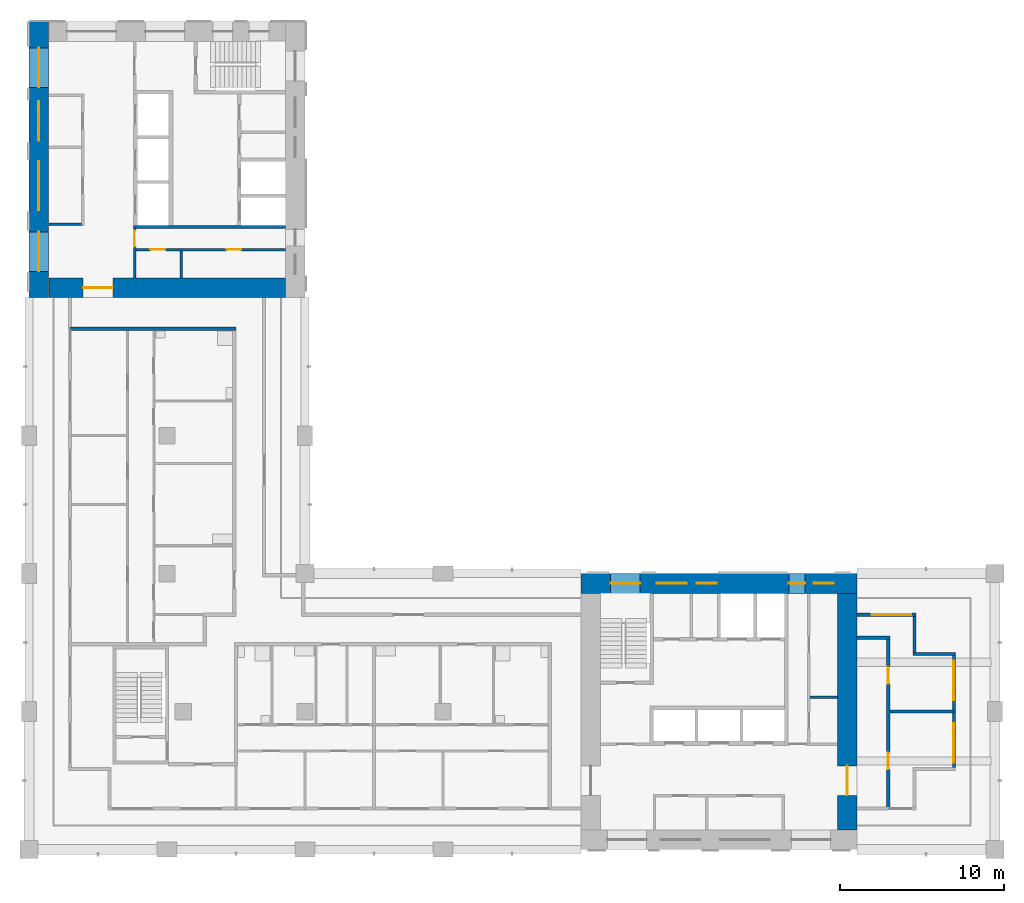
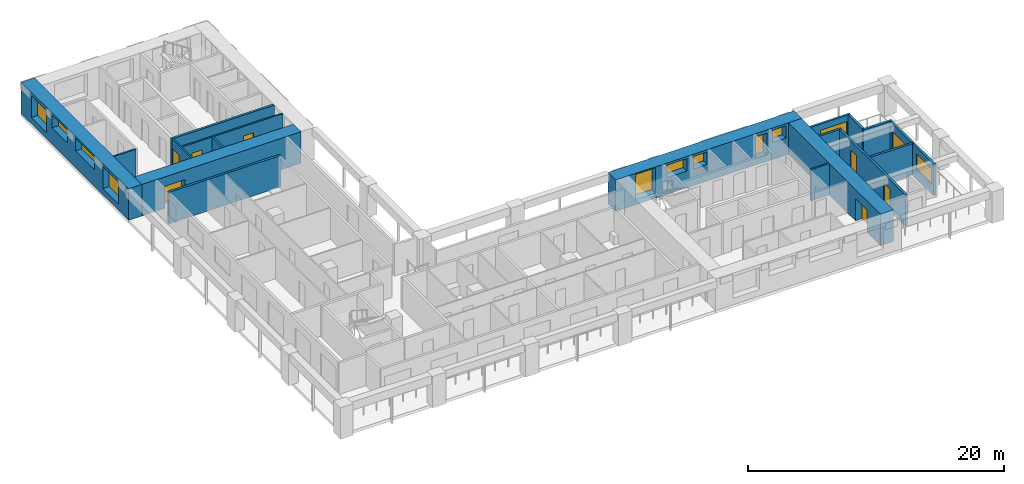
# One storey, part 5 of 11: 18 walls, 11 windows, 8 doors, 19 openings.
"""IFC4 building model written with IfcOpenShell, lengths in metres."""

from ifc_helpers import new_model, si_unit, direction, frame, frame_2d, origin, place, context, subcontext, project, spatial, rectangle, extrude, material, layer, layer_set, type_object, element, fill, save


model = new_model("IFC4")

# Units and contexts
model_context = context("Model", 3, precision=1e-05, world=origin(), true_north=direction((0.0, 1.0)))
body_context = subcontext(model_context, "Body", "Model", "MODEL_VIEW")
ifc_project = project(units=[si_unit("LENGTHUNIT", "METRE"), si_unit("AREAUNIT", "SQUARE_METRE"), si_unit("VOLUMEUNIT", "CUBIC_METRE"), si_unit("PLANEANGLEUNIT", "RADIAN"), si_unit("MASSUNIT", "GRAM", prefix="KILO")], contexts=[model_context])

# Site, building, storey
site_placement = place(None, origin())
site = spatial("IfcSite", under=ifc_project, at=site_placement, CompositionType="ELEMENT")
building_placement = place(site_placement, origin())
building = spatial("IfcBuilding", under=site, at=building_placement, Name="Vermilion Gate Residences", CompositionType="ELEMENT")
storey_placement = place(building_placement, frame((0.0, 0.0, 203.699951171875)))
storey = spatial("IfcBuildingStorey", under=building, at=storey_placement, Name="L53", CompositionType="ELEMENT", Elevation=203.699951171875)

# Walls
ifc_material_1 = material(Name="Masonry blockwork", Category="masonry")
ifc_layer_1 = layer(ifc_material_1, 0.14990234375)
ifc_layer_set_1 = layer_set([ifc_layer_1], Name="BLOCKWORK PARTITION 150 EI 120")
wall_type_1 = type_object("IfcWallType", Name="BLOCKWORK PARTITION 150 EI 120", PredefinedType="PARTITIONING", material=ifc_layer_set_1)
wall_1_placement = place(storey_placement, frame((55.949951171875, 17.659912109375, 0.0), z_axis=(0.0, 0.0, 1.0), x_axis=(1.0, 0.0, 0.0)))
element("IfcWall", 1, at=wall_1_placement, inside=storey, type_object=wall_type_1, Name="Core room partition A53-ES-P0", PredefinedType="PARTITIONING", context=body_context, shape_type="SweptSolid", body=[
    extrude(rectangle(XDim=1.650146484375, YDim=0.14990234375, at=frame_2d((0.8251953125, 0.0))), origin(), (0.0, 0.0, 1.0), 3.0),
])
wall_2_placement = place(storey_placement, frame((9.60009765625, 46.47509765625, 0.0), z_axis=(0.0, 0.0, 1.0), x_axis=(1.0, 0.0, 0.0)))
element("IfcWall", 2, at=wall_2_placement, inside=storey, type_object=wall_type_1, Name="Core room partition B53-RW-E", PredefinedType="PARTITIONING", context=body_context, shape_type="SweptSolid", body=[
    extrude(rectangle(XDim=2.0, YDim=0.14990234375, at=frame_2d((1.0, 0.0))), origin(), (0.0, 0.0, 1.0), 3.0),
])

# Wall, opening, door
wall_3_placement = place(storey_placement, frame((14.824951171875, 46.199951171875, 0.0), z_axis=(0.0, 0.0, 1.0), x_axis=(0.0, -1.0, 0.0)))
wall_3 = element("IfcWall", 3, at=wall_3_placement, inside=storey, type_object=wall_type_1, Name="Core room partition B53-ES-S", PredefinedType="PARTITIONING", context=body_context, shape_type="SweptSolid", body=[
    extrude(rectangle(XDim=3.0, YDim=0.14990234375, at=frame_2d((1.5, 0.0))), origin(), (0.0, 0.0, 1.0), 3.0),
])
opening_1_placement = place(wall_3_placement, frame((0.10009765625, 0.0, 0.0)))
opening_1 = element("IfcOpeningElement", 4, at=opening_1_placement, cuts=wall_3, Name="Opening DK53113", PredefinedType="OPENING", context=body_context, shape_type="SweptSolid", body=[
    extrude(rectangle(XDim=1.0, YDim=2.10009765625, at=frame_2d((0.5, 1.050048828125))), frame((0.0, 0.0849609375, 0.0), z_axis=(0.0, -1.0, 0.0), x_axis=(1.0, 0.0, 0.0)), (0.0, 0.0, 1.0), 0.169921875),
])
ifc_material_2 = material(Name="Steel", Category="steel")
door_type_1 = type_object("IfcDoorType", Name="FIRE DOOR FD60 1000 X 2100", OperationType="SINGLE_SWING_LEFT", PredefinedType="DOOR", material=ifc_material_2)
door_1_placement = place(opening_1_placement, frame((1.0, 0.0, 0.0), z_axis=(0.0, 0.0, 1.0), x_axis=(-1.0, 0.0, 0.0)))
door_1 = element("IfcDoor", 5, at=door_1_placement, inside=storey, type_object=door_type_1, Name="Service corridor door B53", OperationType="SINGLE_SWING_LEFT", OverallHeight=2.10009765625, OverallWidth=1.0, PredefinedType="DOOR", context=body_context, shape_type="SweptSolid", body=[
    extrude(rectangle(XDim=1.0, YDim=2.10009765625, at=frame_2d((0.5, 1.050048828125))), frame((0.0, 0.02490234375, 0.0), z_axis=(0.0, -1.0, 0.0), x_axis=(1.0, 0.0, 0.0)), (0.0, 0.0, 1.0), 0.050048828125),
])
fill(opening_1, door_1)

# Wall
wall_4_placement = place(storey_placement, frame((17.659912109375, 44.85009765625, 0.0), z_axis=(0.0, 0.0, 1.0), x_axis=(0.0, -1.0, 0.0)))
element("IfcWall", 6, at=wall_4_placement, inside=storey, type_object=wall_type_1, Name="Core room partition B53-ES-P0", PredefinedType="PARTITIONING", context=body_context, shape_type="SweptSolid", body=[
    extrude(rectangle(XDim=1.650146484375, YDim=0.14990234375, at=frame_2d((0.8251953125, 0.0))), origin(), (0.0, 0.0, 1.0), 3.0),
])

# Wall, openings, doors
wall_5_placement = place(storey_placement, frame((14.89990234375, 44.925048828125, 0.0), z_axis=(0.0, 0.0, 1.0), x_axis=(1.0, 0.0, 0.0)))
wall_5 = element("IfcWall", 7, at=wall_5_placement, inside=storey, type_object=wall_type_1, Name="Core room partition B53-ES-W", PredefinedType="PARTITIONING", context=body_context, shape_type="SweptSolid", body=[
    extrude(rectangle(XDim=9.10009765625, YDim=0.14990234375, at=frame_2d((4.550048828125, 0.0))), origin(), (0.0, 0.0, 1.0), 3.0),
])
opening_2_placement = place(wall_5_placement, frame((0.892578125, 0.0, 0.0)))
opening_2 = element("IfcOpeningElement", 8, at=opening_2_placement, cuts=wall_5, Name="Opening DK53114", PredefinedType="OPENING", context=body_context, shape_type="SweptSolid", body=[
    extrude(rectangle(XDim=0.89990234375, YDim=2.10009765625, at=frame_2d((0.449951171875, 1.050048828125))), frame((0.0, 0.0849609375, 0.0), z_axis=(0.0, -1.0, 0.0), x_axis=(1.0, 0.0, 0.0)), (0.0, 0.0, 1.0), 0.169921875),
])
opening_3_placement = place(wall_5_placement, frame((5.517578125, 0.0, 0.0)))
opening_3 = element("IfcOpeningElement", 9, at=opening_3_placement, cuts=wall_5, Name="Opening DK53115", PredefinedType="OPENING", context=body_context, shape_type="SweptSolid", body=[
    extrude(rectangle(XDim=0.89990234375, YDim=2.10009765625, at=frame_2d((0.449951171875, 1.050048828125))), frame((0.0, 0.0849609375, 0.0), z_axis=(0.0, -1.0, 0.0), x_axis=(1.0, 0.0, 0.0)), (0.0, 0.0, 1.0), 0.169921875),
])
ifc_material_3 = material(Name="Steel", Category="steel")
door_type_2 = type_object("IfcDoorType", Name="SERVICE ROOM DOOR FD60 900 X 2100", OperationType="SINGLE_SWING_LEFT", PredefinedType="DOOR", material=ifc_material_3)
door_2_placement = place(opening_2_placement, frame((0.89990234375, 0.0, 0.0), z_axis=(0.0, 0.0, 1.0), x_axis=(-1.0, 0.0, 0.0)))
door_2 = element("IfcDoor", 10, at=door_2_placement, inside=storey, type_object=door_type_2, Name="Parcel room B53", OperationType="SINGLE_SWING_RIGHT", OverallHeight=2.10009765625, OverallWidth=0.89990234375, PredefinedType="DOOR", context=body_context, shape_type="SweptSolid", body=[
    extrude(rectangle(XDim=0.89990234375, YDim=2.10009765625, at=frame_2d((0.449951171875, 1.050048828125))), frame((0.0, 0.02490234375, 0.0), z_axis=(0.0, -1.0, 0.0), x_axis=(1.0, 0.0, 0.0)), (0.0, 0.0, 1.0), 0.050048828125),
])
fill(opening_2, door_2)
door_3_placement = place(opening_3_placement, frame((0.89990234375, 0.0, 0.0), z_axis=(0.0, 0.0, 1.0), x_axis=(-1.0, 0.0, 0.0)))
door_3 = element("IfcDoor", 11, at=door_3_placement, inside=storey, type_object=door_type_2, Name="Cleaner's store B53", OperationType="SINGLE_SWING_LEFT", OverallHeight=2.10009765625, OverallWidth=0.89990234375, PredefinedType="DOOR", context=body_context, shape_type="SweptSolid", body=[
    extrude(rectangle(XDim=0.89990234375, YDim=2.10009765625, at=frame_2d((0.449951171875, 1.050048828125))), frame((0.0, 0.02490234375, 0.0), z_axis=(0.0, -1.0, 0.0), x_axis=(1.0, 0.0, 0.0)), (0.0, 0.0, 1.0), 0.050048828125),
])
fill(opening_3, door_3)

# Wall, openings, door, window
ifc_material_4 = material(Name="Insulated steel stud wall with terracotta rainscreen", Category="masonry")
ifc_layer_2 = layer(ifc_material_4, 0.199951171875)
ifc_layer_set_2 = layer_set([ifc_layer_2], Name="EXTERNAL WALL 200 TERRACOTTA RAINSCREEN")
wall_type_2 = type_object("IfcWallType", Name="EXTERNAL WALL 200 TERRACOTTA RAINSCREEN", PredefinedType="SOLIDWALL", material=ifc_layer_set_2)
wall_6_placement = place(storey_placement, frame((64.699951171875, 13.39990234375, 0.0), z_axis=(0.0, 0.0, 1.0), x_axis=(0.0, 1.0, 0.0)))
wall_6 = element("IfcWall", 12, at=wall_6_placement, inside=storey, type_object=wall_type_2, Name="External wall", PredefinedType="SOLIDWALL", context=body_context, shape_type="SweptSolid", body=[
    extrude(rectangle(XDim=6.800048828125, YDim=0.199951171875, at=frame_2d((3.39990234375, 0.0))), origin(), (0.0, 0.0, 1.0), 3.0),
])
opening_4_placement = place(wall_6_placement, frame((0.300048828125, 0.0, 0.89990234375)))
opening_4 = element("IfcOpeningElement", 13, at=opening_4_placement, cuts=wall_6, Name="Opening WE53016", PredefinedType="OPENING", context=body_context, shape_type="SweptSolid", body=[
    extrude(rectangle(XDim=2.39990234375, YDim=1.5, at=frame_2d((1.199951171875, 0.75))), frame((0.0, 0.10986328125, 0.0), z_axis=(0.0, -1.0, 0.0), x_axis=(1.0, 0.0, 0.0)), (0.0, 0.0, 1.0), 0.219970703125),
])
opening_5_placement = place(wall_6_placement, frame((4.10009765625, 0.0, 0.0)))
opening_5 = element("IfcOpeningElement", 14, at=opening_5_placement, cuts=wall_6, Name="Opening DE53019", PredefinedType="OPENING", context=body_context, shape_type="SweptSolid", body=[
    extrude(rectangle(XDim=2.39990234375, YDim=2.199951171875, at=frame_2d((1.199951171875, 1.10009765625))), frame((0.0, 0.10986328125, 0.0), z_axis=(0.0, -1.0, 0.0), x_axis=(1.0, 0.0, 0.0)), (0.0, 0.0, 1.0), 0.219970703125),
])
ifc_material_5 = material(Name="Aluminium and clear glass", Category="aluminium")
door_type_3 = type_object("IfcDoorType", Name="SLIDING GLAZED DOOR 2400 X 2200", OperationType="DOUBLE_DOOR_SLIDING", PredefinedType="DOOR", material=ifc_material_5)
door_4_placement = place(opening_5_placement, origin())
door_4 = element("IfcDoor", 15, at=door_4_placement, inside=storey, type_object=door_type_3, Name="Loggia sliding door", OperationType="DOUBLE_DOOR_SLIDING", OverallHeight=2.199951171875, OverallWidth=2.39990234375, PredefinedType="DOOR", context=body_context, shape_type="SweptSolid", body=[
    extrude(rectangle(XDim=2.39990234375, YDim=2.199951171875, at=frame_2d((1.199951171875, 1.10009765625))), frame((0.0, 0.02490234375, 0.0), z_axis=(0.0, -1.0, 0.0), x_axis=(1.0, 0.0, 0.0)), (0.0, 0.0, 1.0), 0.050048828125),
])
fill(opening_5, door_4)
ifc_material_6 = material(Name="Aluminium and clear glass", Category="aluminium")
window_type_1 = type_object("IfcWindowType", Name="WINDOW 2400 X 1500", PartitioningType="SINGLE_PANEL", PredefinedType="WINDOW", material=ifc_material_6)
window_1_placement = place(opening_4_placement, origin())
window_1 = element("IfcWindow", 16, at=window_1_placement, inside=storey, type_object=window_type_1, Name="Window", OverallHeight=1.5, OverallWidth=2.39990234375, PartitioningType="SINGLE_PANEL", PredefinedType="WINDOW", context=body_context, shape_type="SweptSolid", body=[
    extrude(rectangle(XDim=2.39990234375, YDim=1.5, at=frame_2d((1.199951171875, 0.75))), frame((0.0, 0.030029296875, 0.0), z_axis=(0.0, -1.0, 0.0), x_axis=(1.0, 0.0, 0.0)), (0.0, 0.0, 1.0), 0.06005859375),
])
fill(opening_4, window_1)

# Walls
wall_7_placement = place(storey_placement, frame((64.800048828125, 20.300048828125, 0.0), z_axis=(0.0, 0.0, 1.0), x_axis=(-1.0, 0.0, 0.0)))
element("IfcWall", 17, at=wall_7_placement, inside=storey, type_object=wall_type_2, Name="External wall", PredefinedType="SOLIDWALL", context=body_context, shape_type="SweptSolid", body=[
    extrude(rectangle(XDim=2.60009765625, YDim=0.199951171875, at=frame_2d((1.300048828125, 0.0))), origin(), (0.0, 0.0, 1.0), 3.0),
])
wall_8_placement = place(storey_placement, frame((62.300048828125, 20.39990234375, 0.0), z_axis=(0.0, 0.0, 1.0), x_axis=(0.0, 1.0, 0.0)))
element("IfcWall", 18, at=wall_8_placement, inside=storey, type_object=wall_type_2, Name="External wall", PredefinedType="SOLIDWALL", context=body_context, shape_type="SweptSolid", body=[
    extrude(rectangle(XDim=2.2001953125, YDim=0.199951171875, at=frame_2d((1.10009765625, 0.0))), origin(), (0.0, 0.0, 1.0), 3.0),
])

# Wall, opening, window
wall_9_placement = place(storey_placement, frame((62.39990234375, 22.699951171875, 0.0), z_axis=(0.0, 0.0, 1.0), x_axis=(-1.0, 0.0, 0.0)))
wall_9 = element("IfcWall", 19, at=wall_9_placement, inside=storey, type_object=wall_type_2, Name="External wall", PredefinedType="SOLIDWALL", context=body_context, shape_type="SweptSolid", body=[
    extrude(rectangle(XDim=3.599853515625, YDim=0.199951171875, at=frame_2d((1.7998046875, 0.0))), origin(), (0.0, 0.0, 1.0), 3.0),
])
opening_6_placement = place(wall_9_placement, frame((0.300048828125, 0.0, 0.89990234375)))
opening_6 = element("IfcOpeningElement", 20, at=opening_6_placement, cuts=wall_9, Name="Opening WE53018", PredefinedType="OPENING", context=body_context, shape_type="SweptSolid", body=[
    extrude(rectangle(XDim=2.39990234375, YDim=1.5, at=frame_2d((1.199951171875, 0.75))), frame((0.0, 0.10986328125, 0.0), z_axis=(0.0, -1.0, 0.0), x_axis=(1.0, 0.0, 0.0)), (0.0, 0.0, 1.0), 0.219970703125),
])
window_2_placement = place(opening_6_placement, origin())
window_2 = element("IfcWindow", 21, at=window_2_placement, inside=storey, type_object=window_type_1, Name="Window", OverallHeight=1.5, OverallWidth=2.39990234375, PartitioningType="SINGLE_PANEL", PredefinedType="WINDOW", context=body_context, shape_type="SweptSolid", body=[
    extrude(rectangle(XDim=2.39990234375, YDim=1.5, at=frame_2d((1.199951171875, 0.75))), frame((0.0, 0.030029296875, 0.0), z_axis=(0.0, -1.0, 0.0), x_axis=(1.0, 0.0, 0.0)), (0.0, 0.0, 1.0), 0.06005859375),
])
fill(opening_6, window_2)

# Walls
ifc_material_7 = material(Name="Fire-rated plasterboard on steel studs", Category="steel")
ifc_layer_3 = layer(ifc_material_7, 0.199951171875)
ifc_layer_set_3 = layer_set([ifc_layer_3], Name="PARTY WALL 200 EI 120")
wall_type_3 = type_object("IfcWallType", Name="PARTY WALL 200 EI 120", PredefinedType="PARTITIONING", material=ifc_layer_set_3)
wall_10_placement = place(storey_placement, frame((60.800048828125, 16.800048828125, 0.0), z_axis=(0.0, 0.0, 1.0), x_axis=(1.0, 0.0, 0.0)))
element("IfcWall", 22, at=wall_10_placement, inside=storey, type_object=wall_type_3, Name="Party and corridor wall", PredefinedType="PARTITIONING", context=body_context, shape_type="SweptSolid", body=[
    extrude(rectangle(XDim=3.89990234375, YDim=0.199951171875, at=frame_2d((1.949951171875, 0.0))), origin(), (0.0, 0.0, 1.0), 3.0),
])
wall_11_placement = place(storey_placement, frame((58.800048828125, 21.300048828125, 0.0), z_axis=(0.0, 0.0, 1.0), x_axis=(1.0, 0.0, 0.0)))
element("IfcWall", 23, at=wall_11_placement, inside=storey, type_object=wall_type_3, Name="Party and corridor wall", PredefinedType="PARTITIONING", context=body_context, shape_type="SweptSolid", body=[
    extrude(rectangle(XDim=2.0, YDim=0.199951171875, at=frame_2d((1.0, 0.0))), origin(), (0.0, 0.0, 1.0), 3.0),
])
wall_12_placement = place(storey_placement, frame((10.89990234375, 40.10009765625, 0.0), z_axis=(0.0, 0.0, 1.0), x_axis=(1.0, 0.0, 0.0)))
element("IfcWall", 24, at=wall_12_placement, inside=storey, type_object=wall_type_3, Name="Party and corridor wall", PredefinedType="PARTITIONING", context=body_context, shape_type="SweptSolid", body=[
    extrude(rectangle(XDim=10.10009765625, YDim=0.199951171875, at=frame_2d((5.050048828125, 0.0))), origin(), (0.0, 0.0, 1.0), 3.0),
])

# Wall, openings, doors
wall_13_placement = place(storey_placement, frame((60.699951171875, 10.89990234375, 0.0), z_axis=(0.0, 0.0, 1.0), x_axis=(0.0, 1.0, 0.0)))
wall_13 = element("IfcWall", 25, at=wall_13_placement, inside=storey, type_object=wall_type_3, Name="Party and corridor wall", PredefinedType="PARTITIONING", context=body_context, shape_type="SweptSolid", body=[
    extrude(rectangle(XDim=10.300048828125, YDim=0.199951171875, at=frame_2d((5.14990234375, 0.0))), origin(), (0.0, 0.0, 1.0), 3.0),
])
opening_7_placement = place(wall_13_placement, frame((2.39990234375, 0.0, 0.0)))
opening_7 = element("IfcOpeningElement", 26, at=opening_7_placement, cuts=wall_13, Name="Opening DA52024", PredefinedType="OPENING", context=body_context, shape_type="SweptSolid", body=[
    extrude(rectangle(XDim=1.0, YDim=2.10009765625, at=frame_2d((0.5, 1.050048828125))), frame((0.0, 0.10986328125, 0.0), z_axis=(0.0, -1.0, 0.0), x_axis=(1.0, 0.0, 0.0)), (0.0, 0.0, 1.0), 0.219970703125),
])
opening_8_placement = place(wall_13_placement, frame((7.60009765625, 0.0, 0.0)))
opening_8 = element("IfcOpeningElement", 27, at=opening_8_placement, cuts=wall_13, Name="Opening DA52025", PredefinedType="OPENING", context=body_context, shape_type="SweptSolid", body=[
    extrude(rectangle(XDim=1.0, YDim=2.10009765625, at=frame_2d((0.5, 1.050048828125))), frame((0.0, 0.10986328125, 0.0), z_axis=(0.0, -1.0, 0.0), x_axis=(1.0, 0.0, 0.0)), (0.0, 0.0, 1.0), 0.219970703125),
])
ifc_material_8 = material(Name="Steel", Category="steel")
door_type_4 = type_object("IfcDoorType", Name="ENTRANCE DOOR 1000 X 2100 FD30", OperationType="SINGLE_SWING_LEFT", PredefinedType="DOOR", material=ifc_material_8)
door_5_placement = place(opening_7_placement, frame((1.0, 0.0, 0.0), z_axis=(0.0, 0.0, 1.0), x_axis=(-1.0, 0.0, 0.0)))
door_5 = element("IfcDoor", 28, at=door_5_placement, inside=storey, type_object=door_type_4, Name="Entrance door", OperationType="SINGLE_SWING_RIGHT", OverallHeight=2.10009765625, OverallWidth=1.0, PredefinedType="DOOR", context=body_context, shape_type="SweptSolid", body=[
    extrude(rectangle(XDim=1.0, YDim=2.10009765625, at=frame_2d((0.5, 1.050048828125))), frame((0.0, 0.02490234375, 0.0), z_axis=(0.0, -1.0, 0.0), x_axis=(1.0, 0.0, 0.0)), (0.0, 0.0, 1.0), 0.050048828125),
])
fill(opening_7, door_5)
door_6_placement = place(opening_8_placement, frame((1.0, 0.0, 0.0), z_axis=(0.0, 0.0, 1.0), x_axis=(-1.0, 0.0, 0.0)))
door_6 = element("IfcDoor", 29, at=door_6_placement, inside=storey, type_object=door_type_4, Name="Entrance door", OperationType="SINGLE_SWING_RIGHT", OverallHeight=2.10009765625, OverallWidth=1.0, PredefinedType="DOOR", context=body_context, shape_type="SweptSolid", body=[
    extrude(rectangle(XDim=1.0, YDim=2.10009765625, at=frame_2d((0.5, 1.050048828125))), frame((0.0, 0.02490234375, 0.0), z_axis=(0.0, -1.0, 0.0), x_axis=(1.0, 0.0, 0.0)), (0.0, 0.0, 1.0), 0.050048828125),
])
fill(opening_8, door_6)

# Wall
ifc_material_9 = material(Name="Concrete C60", Category="concrete")
ifc_layer_4 = layer(ifc_material_9, 0.199951171875)
ifc_layer_set_4 = layer_set([ifc_layer_4], Name="RC CORE INTERNAL WALL 200 C60")
wall_type_4 = type_object("IfcWallType", Name="RC CORE INTERNAL WALL 200 C60", PredefinedType="SHEAR", material=ifc_layer_set_4)
wall_14_placement = place(storey_placement, frame((14.75, 46.300048828125, 0.0), z_axis=(0.0, 0.0, 1.0), x_axis=(1.0, 0.0, 0.0)))
element("IfcWall", 30, at=wall_14_placement, inside=storey, type_object=wall_type_4, Name="Core internal wall B53-EDIV", PredefinedType="SHEAR", context=body_context, shape_type="SweptSolid", body=[
    extrude(rectangle(XDim=9.25, YDim=0.199951171875, at=frame_2d((4.625, 0.0))), origin(), (0.0, 0.0, 1.0), 3.0),
])

# Wall, opening, door
ifc_material_10 = material(Name="Concrete C60", Category="concrete")
ifc_layer_5 = layer(ifc_material_10, 1.199951171875)
ifc_layer_set_5 = layer_set([ifc_layer_5], Name="RC CORE WALL 1200 C60")
wall_type_5 = type_object("IfcWallType", Name="RC CORE WALL 1200 C60", PredefinedType="SHEAR", material=ifc_layer_set_5)
wall_15_placement = place(storey_placement, frame((58.199951171875, 9.60009765625, 0.0), z_axis=(0.0, 0.0, 1.0), x_axis=(0.0, 1.0, 0.0)))
wall_15 = element("IfcWall", 31, at=wall_15_placement, inside=storey, type_object=wall_type_5, Name="Core wall A53-OUT-BK", PredefinedType="SHEAR", context=body_context, shape_type="SweptSolid", body=[
    extrude(rectangle(XDim=14.39990234375, YDim=1.199951171875, at=frame_2d((7.199951171875, 0.0))), origin(), (0.0, 0.0, 1.0), 3.0),
])
opening_9_placement = place(wall_15_placement, frame((2.10009765625, 0.0, 0.0)))
opening_9 = element("IfcOpeningElement", 32, at=opening_9_placement, cuts=wall_15, Name="Opening DK53002", PredefinedType="OPENING", context=body_context, shape_type="SweptSolid", body=[
    extrude(rectangle(XDim=1.800048828125, YDim=2.10009765625, at=frame_2d((0.89990234375, 1.050048828125))), frame((0.0, 0.60986328125, 0.0), z_axis=(0.0, -1.0, 0.0), x_axis=(1.0, 0.0, 0.0)), (0.0, 0.0, 1.0), 1.219970703125),
])
ifc_material_11 = material(Name="Steel", Category="steel")
door_type_5 = type_object("IfcDoorType", Name="CORE LOBBY DOOR FD60 1800 X 2100", OperationType="DOUBLE_DOOR_SINGLE_SWING", PredefinedType="DOOR", material=ifc_material_11)
door_7_placement = place(opening_9_placement, origin())
door_7 = element("IfcDoor", 33, at=door_7_placement, inside=storey, type_object=door_type_5, Name="Core lobby door A53", OperationType="DOUBLE_DOOR_SINGLE_SWING", OverallHeight=2.10009765625, OverallWidth=1.800048828125, PredefinedType="DOOR", context=body_context, shape_type="SweptSolid", body=[
    extrude(rectangle(XDim=1.800048828125, YDim=2.10009765625, at=frame_2d((0.89990234375, 1.050048828125))), frame((0.0, 0.02490234375, 0.0), z_axis=(0.0, -1.0, 0.0), x_axis=(1.0, 0.0, 0.0)), (0.0, 0.0, 1.0), 0.050048828125),
])
fill(opening_9, door_7)

wall_16_placement = place(storey_placement, frame((9.60009765625, 42.60009765625, 0.0), z_axis=(0.0, 0.0, 1.0), x_axis=(1.0, 0.0, 0.0)))
wall_16 = element("IfcWall", 34, at=wall_16_placement, inside=storey, type_object=wall_type_5, Name="Core wall B53-OUT-BK", PredefinedType="SHEAR", context=body_context, shape_type="SweptSolid", body=[
    extrude(rectangle(XDim=14.39990234375, YDim=1.199951171875, at=frame_2d((7.199951171875, 0.0))), origin(), (0.0, 0.0, 1.0), 3.0),
])
opening_10_placement = place(wall_16_placement, frame((2.10009765625, 0.0, 0.0)))
opening_10 = element("IfcOpeningElement", 35, at=opening_10_placement, cuts=wall_16, Name="Opening DK53101", PredefinedType="OPENING", context=body_context, shape_type="SweptSolid", body=[
    extrude(rectangle(XDim=1.800048828125, YDim=2.10009765625, at=frame_2d((0.89990234375, 1.050048828125))), frame((0.0, 0.60986328125, 0.0), z_axis=(0.0, -1.0, 0.0), x_axis=(1.0, 0.0, 0.0)), (0.0, 0.0, 1.0), 1.219970703125),
])
door_8_placement = place(opening_10_placement, frame((1.800048828125, 0.0, 0.0), z_axis=(0.0, 0.0, 1.0), x_axis=(-1.0, 0.0, 0.0)))
door_8 = element("IfcDoor", 36, at=door_8_placement, inside=storey, type_object=door_type_5, Name="Core lobby door B53", OperationType="DOUBLE_DOOR_SINGLE_SWING", OverallHeight=2.10009765625, OverallWidth=1.800048828125, PredefinedType="DOOR", context=body_context, shape_type="SweptSolid", body=[
    extrude(rectangle(XDim=1.800048828125, YDim=2.10009765625, at=frame_2d((0.89990234375, 1.050048828125))), frame((0.0, 0.02490234375, 0.0), z_axis=(0.0, -1.0, 0.0), x_axis=(1.0, 0.0, 0.0)), (0.0, 0.0, 1.0), 0.050048828125),
])
fill(opening_10, door_8)

# Wall, openings, windows
ifc_material_12 = material(Name="Concrete C60 red-oxide pigmented", Category="concrete")
ifc_layer_6 = layer(ifc_material_12, 1.199951171875)
ifc_layer_set_6 = layer_set([ifc_layer_6], Name="RC CORE WALL 1200 C60 RED OXIDE")
wall_type_6 = type_object("IfcWallType", Name="RC CORE WALL 1200 C60 RED OXIDE", PredefinedType="SHEAR", material=ifc_layer_set_6)
wall_17_placement = place(storey_placement, frame((42.0, 24.60009765625, 0.0), z_axis=(0.0, 0.0, 1.0), x_axis=(1.0, 0.0, 0.0)))
wall_17 = element("IfcWall", 37, at=wall_17_placement, inside=storey, type_object=wall_type_6, Name="Core wall A53-OUT-B1", PredefinedType="SHEAR", context=body_context, shape_type="SweptSolid", body=[
    extrude(rectangle(XDim=16.800048828125, YDim=1.199951171875, at=frame_2d((8.39990234375, 0.0))), origin(), (0.0, 0.0, 1.0), 3.0),
])
opening_11_placement = place(wall_17_placement, frame((1.800048828125, 0.0, 0.5)))
opening_11 = element("IfcOpeningElement", 38, at=opening_11_placement, cuts=wall_17, Name="Opening WKA5305", PredefinedType="OPENING", context=body_context, shape_type="SweptSolid", body=[
    extrude(rectangle(XDim=1.800048828125, YDim=2.39990234375, at=frame_2d((0.89990234375, 1.199951171875))), frame((0.0, 0.60986328125, 0.0), z_axis=(0.0, -1.0, 0.0), x_axis=(1.0, 0.0, 0.0)), (0.0, 0.0, 1.0), 1.219970703125),
])
opening_12_placement = place(wall_17_placement, frame((4.625, 0.0, 1.60009765625)))
opening_12 = element("IfcOpeningElement", 39, at=opening_12_placement, cuts=wall_17, Name="Opening WKA5306", PredefinedType="OPENING", context=body_context, shape_type="SweptSolid", body=[
    extrude(rectangle(XDim=1.800048828125, YDim=1.199951171875, at=frame_2d((0.89990234375, 0.60009765625))), frame((0.0, 0.60986328125, 0.0), z_axis=(0.0, -1.0, 0.0), x_axis=(1.0, 0.0, 0.0)), (0.0, 0.0, 1.0), 1.219970703125),
])
opening_13_placement = place(wall_17_placement, frame((7.050048828125, 0.0, 1.60009765625)))
opening_13 = element("IfcOpeningElement", 40, at=opening_13_placement, cuts=wall_17, Name="Opening WKA5307", PredefinedType="OPENING", context=body_context, shape_type="SweptSolid", body=[
    extrude(rectangle(XDim=1.199951171875, YDim=1.199951171875, at=frame_2d((0.60009765625, 0.60009765625))), frame((0.0, 0.60986328125, 0.0), z_axis=(0.0, -1.0, 0.0), x_axis=(1.0, 0.0, 0.0)), (0.0, 0.0, 1.0), 1.219970703125),
])
opening_14_placement = place(wall_17_placement, frame((12.64990234375, 0.0, 0.60009765625)))
opening_14 = element("IfcOpeningElement", 41, at=opening_14_placement, cuts=wall_17, Name="Opening WKA5308", PredefinedType="OPENING", context=body_context, shape_type="SweptSolid", body=[
    extrude(rectangle(XDim=1.0, YDim=2.10009765625, at=frame_2d((0.5, 1.050048828125))), frame((0.0, 0.60986328125, 0.0), z_axis=(0.0, -1.0, 0.0), x_axis=(1.0, 0.0, 0.0)), (0.0, 0.0, 1.0), 1.219970703125),
])
opening_15_placement = place(wall_17_placement, frame((14.175048828125, 0.0, 1.60009765625)))
opening_15 = element("IfcOpeningElement", 42, at=opening_15_placement, cuts=wall_17, Name="Opening WKA5309", PredefinedType="OPENING", context=body_context, shape_type="SweptSolid", body=[
    extrude(rectangle(XDim=1.199951171875, YDim=1.199951171875, at=frame_2d((0.60009765625, 0.60009765625))), frame((0.0, 0.60986328125, 0.0), z_axis=(0.0, -1.0, 0.0), x_axis=(1.0, 0.0, 0.0)), (0.0, 0.0, 1.0), 1.219970703125),
])
ifc_material_13 = material(Name="Aluminium and clear glass", Category="aluminium")
window_type_2 = type_object("IfcWindowType", Name="CORE CORRIDOR WINDOW 1000 X 2100", PartitioningType="SINGLE_PANEL", PredefinedType="WINDOW", material=ifc_material_13)
window_3_placement = place(opening_14_placement, origin())
window_3 = element("IfcWindow", 43, at=window_3_placement, inside=storey, type_object=window_type_2, Name="Core corridor window", OverallHeight=2.10009765625, OverallWidth=1.0, PartitioningType="SINGLE_PANEL", PredefinedType="WINDOW", context=body_context, shape_type="SweptSolid", body=[
    extrude(rectangle(XDim=1.0, YDim=2.10009765625, at=frame_2d((0.5, 1.050048828125))), frame((0.0, 0.030029296875, 0.0), z_axis=(0.0, -1.0, 0.0), x_axis=(1.0, 0.0, 0.0)), (0.0, 0.0, 1.0), 0.06005859375),
])
fill(opening_14, window_3)
ifc_material_14 = material(Name="Aluminium frame with louvre blades", Category="aluminium")
window_type_3 = type_object("IfcWindowType", Name="CORE LOUVRE 1200 X 1200", PartitioningType="SINGLE_PANEL", PredefinedType="WINDOW", material=ifc_material_14)
window_4_placement = place(opening_13_placement, origin())
window_4 = element("IfcWindow", 44, at=window_4_placement, inside=storey, type_object=window_type_3, Name="Core louvre", OverallHeight=1.199951171875, OverallWidth=1.199951171875, PartitioningType="SINGLE_PANEL", PredefinedType="WINDOW", context=body_context, shape_type="SweptSolid", body=[
    extrude(rectangle(XDim=1.199951171875, YDim=1.199951171875, at=frame_2d((0.60009765625, 0.60009765625))), frame((0.0, 0.030029296875, 0.0), z_axis=(0.0, -1.0, 0.0), x_axis=(1.0, 0.0, 0.0)), (0.0, 0.0, 1.0), 0.06005859375),
])
fill(opening_13, window_4)
window_5_placement = place(opening_15_placement, origin())
window_5 = element("IfcWindow", 45, at=window_5_placement, inside=storey, type_object=window_type_3, Name="Core louvre", OverallHeight=1.199951171875, OverallWidth=1.199951171875, PartitioningType="SINGLE_PANEL", PredefinedType="WINDOW", context=body_context, shape_type="SweptSolid", body=[
    extrude(rectangle(XDim=1.199951171875, YDim=1.199951171875, at=frame_2d((0.60009765625, 0.60009765625))), frame((0.0, 0.030029296875, 0.0), z_axis=(0.0, -1.0, 0.0), x_axis=(1.0, 0.0, 0.0)), (0.0, 0.0, 1.0), 0.06005859375),
])
fill(opening_15, window_5)
ifc_material_15 = material(Name="Aluminium frame with louvre blades", Category="aluminium")
window_type_4 = type_object("IfcWindowType", Name="CORE LOUVRE 1800 X 1200", PartitioningType="SINGLE_PANEL", PredefinedType="WINDOW", material=ifc_material_15)
window_6_placement = place(opening_12_placement, origin())
window_6 = element("IfcWindow", 46, at=window_6_placement, inside=storey, type_object=window_type_4, Name="Core louvre", OverallHeight=1.199951171875, OverallWidth=1.800048828125, PartitioningType="SINGLE_PANEL", PredefinedType="WINDOW", context=body_context, shape_type="SweptSolid", body=[
    extrude(rectangle(XDim=1.800048828125, YDim=1.199951171875, at=frame_2d((0.89990234375, 0.60009765625))), frame((0.0, 0.030029296875, 0.0), z_axis=(0.0, -1.0, 0.0), x_axis=(1.0, 0.0, 0.0)), (0.0, 0.0, 1.0), 0.06005859375),
])
fill(opening_12, window_6)
ifc_material_16 = material(Name="Aluminium and clear glass", Category="aluminium")
window_type_5 = type_object("IfcWindowType", Name="CORE STAIR WINDOW 1800 X 2400", PartitioningType="SINGLE_PANEL", PredefinedType="WINDOW", material=ifc_material_16)
window_7_placement = place(opening_11_placement, origin())
window_7 = element("IfcWindow", 47, at=window_7_placement, inside=storey, type_object=window_type_5, Name="Core stair window", OverallHeight=2.39990234375, OverallWidth=1.800048828125, PartitioningType="SINGLE_PANEL", PredefinedType="WINDOW", context=body_context, shape_type="SweptSolid", body=[
    extrude(rectangle(XDim=1.800048828125, YDim=2.39990234375, at=frame_2d((0.89990234375, 1.199951171875))), frame((0.0, 0.030029296875, 0.0), z_axis=(0.0, -1.0, 0.0), x_axis=(1.0, 0.0, 0.0)), (0.0, 0.0, 1.0), 0.06005859375),
])
fill(opening_11, window_7)

wall_18_placement = place(storey_placement, frame((9.0, 58.800048828125, 0.0), z_axis=(0.0, 0.0, 1.0), x_axis=(0.0, -1.0, 0.0)))
wall_18 = element("IfcWall", 48, at=wall_18_placement, inside=storey, type_object=wall_type_6, Name="Core wall B53-OUT-B0", PredefinedType="SHEAR", context=body_context, shape_type="SweptSolid", body=[
    extrude(rectangle(XDim=16.800048828125, YDim=1.199951171875, at=frame_2d((8.39990234375, 0.0))), origin(), (0.0, 0.0, 1.0), 3.0),
])
opening_16_placement = place(wall_18_placement, frame((1.60009765625, 0.0, 0.60009765625)))
opening_16 = element("IfcOpeningElement", 49, at=opening_16_placement, cuts=wall_18, Name="Opening WKB5301", PredefinedType="OPENING", context=body_context, shape_type="SweptSolid", body=[
    extrude(rectangle(XDim=2.39990234375, YDim=2.10009765625, at=frame_2d((1.199951171875, 1.050048828125))), frame((0.0, 0.60986328125, 0.0), z_axis=(0.0, -1.0, 0.0), x_axis=(1.0, 0.0, 0.0)), (0.0, 0.0, 1.0), 1.219970703125),
])
opening_17_placement = place(wall_18_placement, frame((4.860107421875, 0.0, 1.60009765625)))
opening_17 = element("IfcOpeningElement", 50, at=opening_17_placement, cuts=wall_18, Name="Opening WKB5302", PredefinedType="OPENING", context=body_context, shape_type="SweptSolid", body=[
    extrude(rectangle(XDim=2.39990234375, YDim=1.199951171875, at=frame_2d((1.199951171875, 0.60009765625))), frame((0.0, 0.60986328125, 0.0), z_axis=(0.0, -1.0, 0.0), x_axis=(1.0, 0.0, 0.0)), (0.0, 0.0, 1.0), 1.219970703125),
])
opening_18_placement = place(wall_18_placement, frame((8.485107421875, 0.0, 1.60009765625)))
opening_18 = element("IfcOpeningElement", 51, at=opening_18_placement, cuts=wall_18, Name="Opening WKB5303", PredefinedType="OPENING", context=body_context, shape_type="SweptSolid", body=[
    extrude(rectangle(XDim=3.0, YDim=1.199951171875, at=frame_2d((1.5, 0.60009765625))), frame((0.0, 0.60986328125, 0.0), z_axis=(0.0, -1.0, 0.0), x_axis=(1.0, 0.0, 0.0)), (0.0, 0.0, 1.0), 1.219970703125),
])
opening_19_placement = place(wall_18_placement, frame((12.800048828125, 0.0, 0.60009765625)))
opening_19 = element("IfcOpeningElement", 52, at=opening_19_placement, cuts=wall_18, Name="Opening WKB5304", PredefinedType="OPENING", context=body_context, shape_type="SweptSolid", body=[
    extrude(rectangle(XDim=2.39990234375, YDim=2.10009765625, at=frame_2d((1.199951171875, 1.050048828125))), frame((0.0, 0.60986328125, 0.0), z_axis=(0.0, -1.0, 0.0), x_axis=(1.0, 0.0, 0.0)), (0.0, 0.0, 1.0), 1.219970703125),
])
ifc_material_17 = material(Name="Aluminium and clear glass", Category="aluminium")
window_type_6 = type_object("IfcWindowType", Name="CORE LOBBY WINDOW 2400 X 2100", PartitioningType="SINGLE_PANEL", PredefinedType="WINDOW", material=ifc_material_17)
window_8_placement = place(opening_16_placement, origin())
window_8 = element("IfcWindow", 53, at=window_8_placement, inside=storey, type_object=window_type_6, Name="Core lobby window", OverallHeight=2.10009765625, OverallWidth=2.39990234375, PartitioningType="SINGLE_PANEL", PredefinedType="WINDOW", context=body_context, shape_type="SweptSolid", body=[
    extrude(rectangle(XDim=2.39990234375, YDim=2.10009765625, at=frame_2d((1.199951171875, 1.050048828125))), frame((0.0, 0.030029296875, 0.0), z_axis=(0.0, -1.0, 0.0), x_axis=(1.0, 0.0, 0.0)), (0.0, 0.0, 1.0), 0.06005859375),
])
fill(opening_16, window_8)
window_9_placement = place(opening_19_placement, origin())
window_9 = element("IfcWindow", 54, at=window_9_placement, inside=storey, type_object=window_type_6, Name="Core lobby window", OverallHeight=2.10009765625, OverallWidth=2.39990234375, PartitioningType="SINGLE_PANEL", PredefinedType="WINDOW", context=body_context, shape_type="SweptSolid", body=[
    extrude(rectangle(XDim=2.39990234375, YDim=2.10009765625, at=frame_2d((1.199951171875, 1.050048828125))), frame((0.0, 0.030029296875, 0.0), z_axis=(0.0, -1.0, 0.0), x_axis=(1.0, 0.0, 0.0)), (0.0, 0.0, 1.0), 0.06005859375),
])
fill(opening_19, window_9)
ifc_material_18 = material(Name="Aluminium frame with louvre blades", Category="aluminium")
window_type_7 = type_object("IfcWindowType", Name="CORE LOUVRE 2400 X 1200", PartitioningType="SINGLE_PANEL", PredefinedType="WINDOW", material=ifc_material_18)
window_10_placement = place(opening_17_placement, origin())
window_10 = element("IfcWindow", 55, at=window_10_placement, inside=storey, type_object=window_type_7, Name="Core louvre", OverallHeight=1.199951171875, OverallWidth=2.39990234375, PartitioningType="SINGLE_PANEL", PredefinedType="WINDOW", context=body_context, shape_type="SweptSolid", body=[
    extrude(rectangle(XDim=2.39990234375, YDim=1.199951171875, at=frame_2d((1.199951171875, 0.60009765625))), frame((0.0, 0.030029296875, 0.0), z_axis=(0.0, -1.0, 0.0), x_axis=(1.0, 0.0, 0.0)), (0.0, 0.0, 1.0), 0.06005859375),
])
fill(opening_17, window_10)
ifc_material_19 = material(Name="Aluminium frame with louvre blades", Category="aluminium")
window_type_8 = type_object("IfcWindowType", Name="CORE LOUVRE 3000 X 1200", PartitioningType="SINGLE_PANEL", PredefinedType="WINDOW", material=ifc_material_19)
window_11_placement = place(opening_18_placement, origin())
window_11 = element("IfcWindow", 56, at=window_11_placement, inside=storey, type_object=window_type_8, Name="Core louvre", OverallHeight=1.199951171875, OverallWidth=3.0, PartitioningType="SINGLE_PANEL", PredefinedType="WINDOW", context=body_context, shape_type="SweptSolid", body=[
    extrude(rectangle(XDim=3.0, YDim=1.199951171875, at=frame_2d((1.5, 0.60009765625))), frame((0.0, 0.030029296875, 0.0), z_axis=(0.0, -1.0, 0.0), x_axis=(1.0, 0.0, 0.0)), (0.0, 0.0, 1.0), 0.06005859375),
])
fill(opening_18, window_11)

save(model, "model.ifc")
